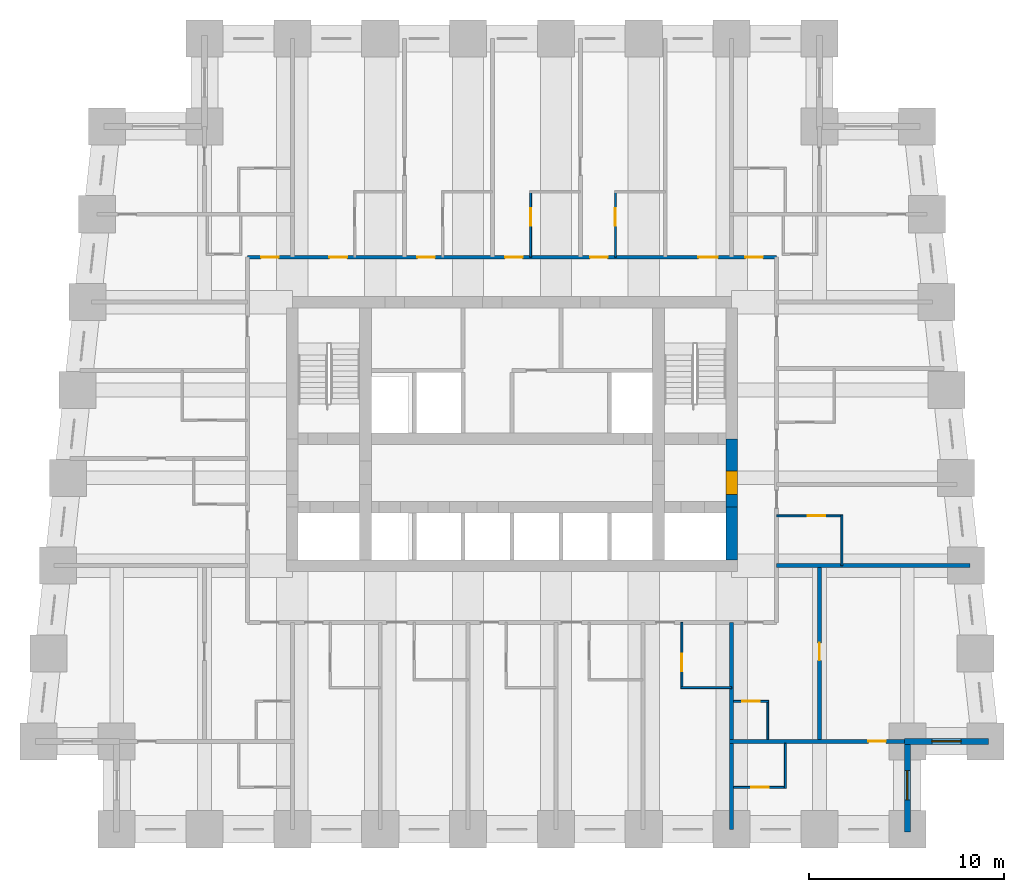
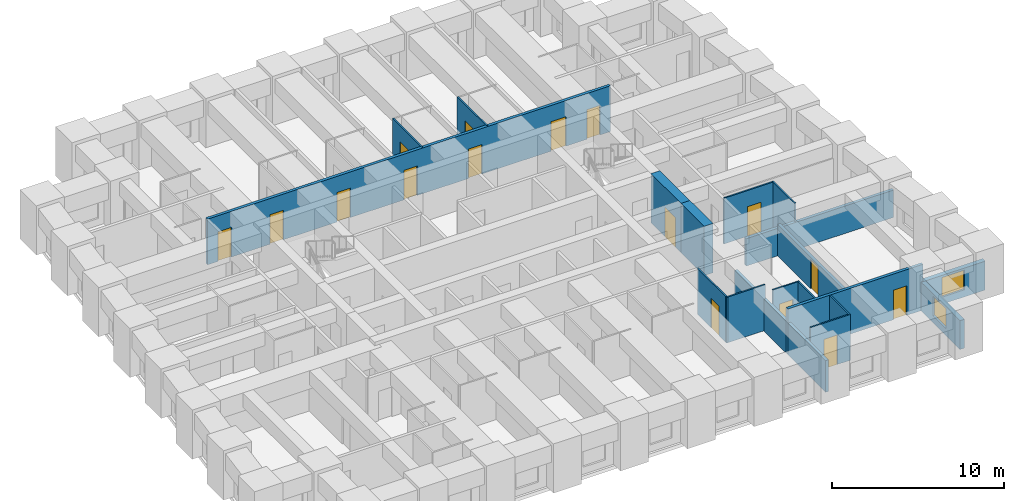
# One storey, part 5 of 8: 19 walls, 16 doors, 2 windows, 18 openings.
"""IFC4 building model written with IfcOpenShell, lengths in metres."""

from ifc_helpers import new_model, si_unit, direction, frame, frame_2d, origin, place, context, subcontext, project, spatial, rectangle, extrude, material, layer, layer_set, type_object, element, fill, save


model = new_model("IFC4")

# Units and contexts
model_context = context("Model", 3, precision=1e-05, world=origin(), true_north=direction((0.0, 1.0)))
body_context = subcontext(model_context, "Body", "Model", "MODEL_VIEW")
ifc_project = project(units=[si_unit("LENGTHUNIT", "METRE"), si_unit("AREAUNIT", "SQUARE_METRE"), si_unit("VOLUMEUNIT", "CUBIC_METRE"), si_unit("PLANEANGLEUNIT", "RADIAN"), si_unit("MASSUNIT", "GRAM", prefix="KILO")], contexts=[model_context])

# Site, building, storey
site_placement = place(None, origin())
site = spatial("IfcSite", under=ifc_project, at=site_placement, CompositionType="ELEMENT")
building_placement = place(site_placement, origin())
building = spatial("IfcBuilding", under=site, at=building_placement, Name="Kilele Tower Hotel", CompositionType="ELEMENT")
storey_placement = place(building_placement, frame((0.0, 0.0, 78.699951171875)))
storey = spatial("IfcBuildingStorey", under=building, at=storey_placement, Name="L19", CompositionType="ELEMENT", Elevation=78.699951171875)

# Wall
ifc_material_1 = material(Name="Moisture-resistant board")
ifc_layer_1 = layer(ifc_material_1, 0.10009765625)
ifc_layer_set_1 = layer_set([ifc_layer_1], Name="Moisture-resistant board")
wall_type_1 = type_object("IfcWallType", Name="Bathroom partition 100", PredefinedType="PLUMBINGWALL", material=ifc_layer_set_1)
wall_1_placement = place(storey_placement, frame((33.39990234375, 7.25, 0.0), z_axis=(0.0, 0.0, 1.0), x_axis=(1.0, 0.0, 0.0)))
element("IfcWall", 1, at=wall_1_placement, inside=storey, type_object=wall_type_1, Name="Bathroom partition 100 L19", PredefinedType="PLUMBINGWALL", context=body_context, shape_type="SweptSolid", body=[
    extrude(rectangle(XDim=2.60009765625, YDim=0.10009765625, at=frame_2d((1.300048828125, 0.0))), origin(), (0.0, 0.0, 1.0), 3.25),
])

# Wall, opening, door
wall_2_placement = place(storey_placement, frame((33.449951171875, 10.60009765625, 0.0), z_axis=(0.0, 0.0, 1.0), x_axis=(0.0, -1.0, 0.0)))
wall_2 = element("IfcWall", 2, at=wall_2_placement, inside=storey, type_object=wall_type_1, Name="Bathroom partition 100 L19", PredefinedType="PLUMBINGWALL", context=body_context, shape_type="SweptSolid", body=[
    extrude(rectangle(XDim=3.400146484375, YDim=0.10009765625, at=frame_2d((1.7001953125, 0.0))), origin(), (0.0, 0.0, 1.0), 3.25),
])
opening_1_placement = place(wall_2_placement, frame((2.5, 0.0, 0.0), z_axis=(0.0, 0.0, 1.0), x_axis=(-1.0, 0.0, 0.0)))
opening_1 = element("IfcOpeningElement", 3, at=opening_1_placement, cuts=wall_2, Name="Opening D2A", PredefinedType="OPENING", context=body_context, shape_type="SweptSolid", body=[
    extrude(rectangle(XDim=0.89990234375, YDim=2.10009765625, at=frame_2d((0.449951171875, 1.050048828125))), frame((0.0, 0.06005859375, 0.0), z_axis=(0.0, -1.0, 0.0), x_axis=(1.0, 0.0, 0.0)), (0.0, 0.0, 1.0), 0.1201171875),
])
ifc_material_2 = material(Name="Timber door leaf in hardwood frame", Category="wood")
door_type_1 = type_object("IfcDoorType", Name="Bathroom door 900", OperationType="SINGLE_SWING_LEFT", PredefinedType="DOOR", material=ifc_material_2)
door_1_placement = place(opening_1_placement, origin())
door_1 = element("IfcDoor", 4, at=door_1_placement, inside=storey, type_object=door_type_1, Name="Bathroom door 1905B", OperationType="SINGLE_SWING_LEFT", OverallHeight=2.10009765625, OverallWidth=0.89990234375, PredefinedType="DOOR", context=body_context, shape_type="SweptSolid", body=[
    extrude(rectangle(XDim=0.89990234375, YDim=2.10009765625, at=frame_2d((0.449951171875, 1.050048828125))), frame((0.0, 0.02490234375, 0.0), z_axis=(0.0, -1.0, 0.0), x_axis=(1.0, 0.0, 0.0)), (0.0, 0.0, 1.0), 0.050048828125),
])
fill(opening_1, door_1)

# Wall
wall_3_placement = place(storey_placement, frame((41.64990234375, 13.5, 0.0), z_axis=(0.0, 0.0, 1.0), x_axis=(0.0, 1.0, 0.0)))
element("IfcWall", 5, at=wall_3_placement, inside=storey, type_object=wall_type_1, Name="Bathroom partition 100 L19", PredefinedType="PLUMBINGWALL", context=body_context, shape_type="SweptSolid", body=[
    extrude(rectangle(XDim=2.60009765625, YDim=0.10009765625, at=frame_2d((1.300048828125, 0.0))), origin(), (0.0, 0.0, 1.0), 3.25),
])

# Wall, opening, door
wall_4_placement = place(storey_placement, frame((38.300048828125, 16.050048828125, 0.0), z_axis=(0.0, 0.0, 1.0), x_axis=(1.0, 0.0, 0.0)))
wall_4 = element("IfcWall", 6, at=wall_4_placement, inside=storey, type_object=wall_type_1, Name="Bathroom partition 100 L19", PredefinedType="PLUMBINGWALL", context=body_context, shape_type="SweptSolid", body=[
    extrude(rectangle(XDim=3.39990234375, YDim=0.10009765625, at=frame_2d((1.699951171875, 0.0))), origin(), (0.0, 0.0, 1.0), 3.25),
])
opening_2_placement = place(wall_4_placement, frame((1.60009765625, 0.0, 0.0)))
opening_2 = element("IfcOpeningElement", 7, at=opening_2_placement, cuts=wall_4, Name="Opening D2A", PredefinedType="OPENING", context=body_context, shape_type="SweptSolid", body=[
    extrude(rectangle(XDim=0.89990234375, YDim=2.10009765625, at=frame_2d((0.449951171875, 1.050048828125))), frame((0.0, 0.06005859375, 0.0), z_axis=(0.0, -1.0, 0.0), x_axis=(1.0, 0.0, 0.0)), (0.0, 0.0, 1.0), 0.1201171875),
])
door_2_placement = place(opening_2_placement, origin())
door_2 = element("IfcDoor", 8, at=door_2_placement, inside=storey, type_object=door_type_1, Name="Bathroom door 1906B", OperationType="SINGLE_SWING_LEFT", OverallHeight=2.10009765625, OverallWidth=0.89990234375, PredefinedType="DOOR", context=body_context, shape_type="SweptSolid", body=[
    extrude(rectangle(XDim=0.89990234375, YDim=2.10009765625, at=frame_2d((0.449951171875, 1.050048828125))), frame((0.0, 0.02490234375, 0.0), z_axis=(0.0, -1.0, 0.0), x_axis=(1.0, 0.0, 0.0)), (0.0, 0.0, 1.0), 0.050048828125),
])
fill(opening_2, door_2)

wall_5_placement = place(storey_placement, frame((25.699951171875, 29.300048828125, 0.0), z_axis=(0.0, 0.0, 1.0), x_axis=(0.0, 1.0, 0.0)))
wall_5 = element("IfcWall", 9, at=wall_5_placement, inside=storey, type_object=wall_type_1, Name="Bathroom partition 100 L19", PredefinedType="PLUMBINGWALL", context=body_context, shape_type="SweptSolid", body=[
    extrude(rectangle(XDim=3.39990234375, YDim=0.10009765625, at=frame_2d((1.699951171875, 0.0))), origin(), (0.0, 0.0, 1.0), 3.25),
])
opening_3_placement = place(wall_5_placement, frame((1.60009765625, 0.0, 0.0)))
opening_3 = element("IfcOpeningElement", 10, at=opening_3_placement, cuts=wall_5, Name="Opening D2A", PredefinedType="OPENING", context=body_context, shape_type="SweptSolid", body=[
    extrude(rectangle(XDim=0.89990234375, YDim=2.10009765625, at=frame_2d((0.449951171875, 1.050048828125))), frame((0.0, 0.06005859375, 0.0), z_axis=(0.0, -1.0, 0.0), x_axis=(1.0, 0.0, 0.0)), (0.0, 0.0, 1.0), 0.1201171875),
])
door_3_placement = place(opening_3_placement, origin())
door_3 = element("IfcDoor", 11, at=door_3_placement, inside=storey, type_object=door_type_1, Name="Bathroom door 1911B", OperationType="SINGLE_SWING_LEFT", OverallHeight=2.10009765625, OverallWidth=0.89990234375, PredefinedType="DOOR", context=body_context, shape_type="SweptSolid", body=[
    extrude(rectangle(XDim=0.89990234375, YDim=2.10009765625, at=frame_2d((0.449951171875, 1.050048828125))), frame((0.0, 0.02490234375, 0.0), z_axis=(0.0, -1.0, 0.0), x_axis=(1.0, 0.0, 0.0)), (0.0, 0.0, 1.0), 0.050048828125),
])
fill(opening_3, door_3)

wall_6_placement = place(storey_placement, frame((30.050048828125, 29.300048828125, 0.0), z_axis=(0.0, 0.0, 1.0), x_axis=(0.0, 1.0, 0.0)))
wall_6 = element("IfcWall", 12, at=wall_6_placement, inside=storey, type_object=wall_type_1, Name="Bathroom partition 100 L19", PredefinedType="PLUMBINGWALL", context=body_context, shape_type="SweptSolid", body=[
    extrude(rectangle(XDim=3.39990234375, YDim=0.10009765625, at=frame_2d((1.699951171875, 0.0))), origin(), (0.0, 0.0, 1.0), 3.25),
])
opening_4_placement = place(wall_6_placement, frame((1.60009765625, 0.0, 0.0)))
opening_4 = element("IfcOpeningElement", 13, at=opening_4_placement, cuts=wall_6, Name="Opening D2A", PredefinedType="OPENING", context=body_context, shape_type="SweptSolid", body=[
    extrude(rectangle(XDim=0.89990234375, YDim=2.10009765625, at=frame_2d((0.449951171875, 1.050048828125))), frame((0.0, 0.06005859375, 0.0), z_axis=(0.0, -1.0, 0.0), x_axis=(1.0, 0.0, 0.0)), (0.0, 0.0, 1.0), 0.1201171875),
])
door_4_placement = place(opening_4_placement, origin())
door_4 = element("IfcDoor", 14, at=door_4_placement, inside=storey, type_object=door_type_1, Name="Bathroom door 1912B", OperationType="SINGLE_SWING_LEFT", OverallHeight=2.10009765625, OverallWidth=0.89990234375, PredefinedType="DOOR", context=body_context, shape_type="SweptSolid", body=[
    extrude(rectangle(XDim=0.89990234375, YDim=2.10009765625, at=frame_2d((0.449951171875, 1.050048828125))), frame((0.0, 0.02490234375, 0.0), z_axis=(0.0, -1.0, 0.0), x_axis=(1.0, 0.0, 0.0)), (0.0, 0.0, 1.0), 0.050048828125),
])
fill(opening_4, door_4)

# Wall
wall_7_placement = place(storey_placement, frame((37.85009765625, 4.60009765625, 0.0), z_axis=(0.0, 0.0, 1.0), x_axis=(0.0, 1.0, 0.0)))
element("IfcWall", 15, at=wall_7_placement, inside=storey, type_object=wall_type_1, Name="Bathroom partition 100 L19", PredefinedType="PLUMBINGWALL", context=body_context, shape_type="SweptSolid", body=[
    extrude(rectangle(XDim=2.0, YDim=0.10009765625, at=frame_2d((1.0, 0.0))), origin(), (0.0, 0.0, 1.0), 3.25),
])

# Wall, opening, door
wall_8_placement = place(storey_placement, frame((36.10009765625, 6.550048828125, 0.0), z_axis=(0.0, 0.0, 1.0), x_axis=(1.0, 0.0, 0.0)))
wall_8 = element("IfcWall", 16, at=wall_8_placement, inside=storey, type_object=wall_type_1, Name="Bathroom partition 100 L19", PredefinedType="PLUMBINGWALL", context=body_context, shape_type="SweptSolid", body=[
    extrude(rectangle(XDim=1.7998046875, YDim=0.10009765625, at=frame_2d((0.89990234375, 0.0))), origin(), (0.0, 0.0, 1.0), 3.25),
])
opening_5_placement = place(wall_8_placement, frame((0.449951171875, 0.0, 0.0)))
opening_5 = element("IfcOpeningElement", 17, at=opening_5_placement, cuts=wall_8, Name="Opening D2A", PredefinedType="OPENING", context=body_context, shape_type="SweptSolid", body=[
    extrude(rectangle(XDim=0.89990234375, YDim=2.10009765625, at=frame_2d((0.449951171875, 1.050048828125))), frame((0.0, 0.06005859375, 0.0), z_axis=(0.0, -1.0, 0.0), x_axis=(1.0, 0.0, 0.0)), (0.0, 0.0, 1.0), 0.1201171875),
])
door_5_placement = place(opening_5_placement, origin())
door_5 = element("IfcDoor", 18, at=door_5_placement, inside=storey, type_object=door_type_1, Name="Bathroom door 1920P", OperationType="SINGLE_SWING_LEFT", OverallHeight=2.10009765625, OverallWidth=0.89990234375, PredefinedType="DOOR", context=body_context, shape_type="SweptSolid", body=[
    extrude(rectangle(XDim=0.89990234375, YDim=2.10009765625, at=frame_2d((0.449951171875, 1.050048828125))), frame((0.0, 0.02490234375, 0.0), z_axis=(0.0, -1.0, 0.0), x_axis=(1.0, 0.0, 0.0)), (0.0, 0.0, 1.0), 0.050048828125),
])
fill(opening_5, door_5)

# Wall
wall_9_placement = place(storey_placement, frame((38.75, 4.39990234375, 0.0), z_axis=(0.0, 0.0, 1.0), x_axis=(0.0, -1.0, 0.0)))
element("IfcWall", 19, at=wall_9_placement, inside=storey, type_object=wall_type_1, Name="Bathroom partition 100 L19", PredefinedType="PLUMBINGWALL", context=body_context, shape_type="SweptSolid", body=[
    extrude(rectangle(XDim=2.2998046875, YDim=0.10009765625, at=frame_2d((1.14990234375, 0.0))), origin(), (0.0, 0.0, 1.0), 3.25),
])

# Wall, opening, door
wall_10_placement = place(storey_placement, frame((36.10009765625, 2.14990234375, 0.0), z_axis=(0.0, 0.0, 1.0), x_axis=(1.0, 0.0, 0.0)))
wall_10 = element("IfcWall", 20, at=wall_10_placement, inside=storey, type_object=wall_type_1, Name="Bathroom partition 100 L19", PredefinedType="PLUMBINGWALL", context=body_context, shape_type="SweptSolid", body=[
    extrude(rectangle(XDim=2.699951171875, YDim=0.10009765625, at=frame_2d((1.35009765625, 0.0))), origin(), (0.0, 0.0, 1.0), 3.25),
])
opening_6_placement = place(wall_10_placement, frame((1.7998046875, 0.0, 0.0), z_axis=(0.0, 0.0, 1.0), x_axis=(-1.0, 0.0, 0.0)))
opening_6 = element("IfcOpeningElement", 21, at=opening_6_placement, cuts=wall_10, Name="Opening D2A", PredefinedType="OPENING", context=body_context, shape_type="SweptSolid", body=[
    extrude(rectangle(XDim=0.89990234375, YDim=2.10009765625, at=frame_2d((0.449951171875, 1.050048828125))), frame((0.0, 0.06005859375, 0.0), z_axis=(0.0, -1.0, 0.0), x_axis=(1.0, 0.0, 0.0)), (0.0, 0.0, 1.0), 0.1201171875),
])
door_6_placement = place(opening_6_placement, origin())
door_6 = element("IfcDoor", 22, at=door_6_placement, inside=storey, type_object=door_type_1, Name="Bathroom door 1922B", OperationType="SINGLE_SWING_RIGHT", OverallHeight=2.10009765625, OverallWidth=0.89990234375, PredefinedType="DOOR", context=body_context, shape_type="SweptSolid", body=[
    extrude(rectangle(XDim=0.89990234375, YDim=2.10009765625, at=frame_2d((0.449951171875, 1.050048828125))), frame((0.0, 0.02490234375, 0.0), z_axis=(0.0, -1.0, 0.0), x_axis=(1.0, 0.0, 0.0)), (0.0, 0.0, 1.0), 0.050048828125),
])
fill(opening_6, door_6)

# Wall
ifc_material_3 = material(Name="Concrete C60/75", Category="concrete")
ifc_layer_2 = layer(ifc_material_3, 0.60009765625)
ifc_layer_set_2 = layer_set([ifc_layer_2], Name="Concrete C60/75")
wall_type_2 = type_object("IfcWallType", Name="Core wall 600 C60/75", PredefinedType="SHEAR", material=ifc_layer_set_2)
wall_11_placement = place(storey_placement, frame((36.0, 13.800048828125, 0.0), z_axis=(0.0, 0.0, 1.0), x_axis=(0.0, 1.0, 0.0)))
element("IfcWall", 23, at=wall_11_placement, inside=storey, type_object=wall_type_2, Name="Core wall E1 L19", PredefinedType="SHEAR", context=body_context, shape_type="SweptSolid", body=[
    extrude(rectangle(XDim=2.699951171875, YDim=0.60009765625, at=frame_2d((1.35009765625, 0.0))), origin(), (0.0, 0.0, 1.0), 3.5),
])

# Wall, opening, door
wall_12_placement = place(storey_placement, frame((36.0, 16.5, 0.0), z_axis=(0.0, 0.0, 1.0), x_axis=(0.0, 1.0, 0.0)))
wall_12 = element("IfcWall", 24, at=wall_12_placement, inside=storey, type_object=wall_type_2, Name="Core wall E2 L19", PredefinedType="SHEAR", context=body_context, shape_type="SweptSolid", body=[
    extrude(rectangle(XDim=3.5, YDim=0.60009765625, at=frame_2d((1.75, 0.0))), origin(), (0.0, 0.0, 1.0), 3.5),
])
opening_7_placement = place(wall_12_placement, frame((0.64990234375, 0.0, 0.0)))
opening_7 = element("IfcOpeningElement", 25, at=opening_7_placement, cuts=wall_12, Name="Opening D4", PredefinedType="OPENING", context=body_context, shape_type="SweptSolid", body=[
    extrude(rectangle(XDim=1.199951171875, YDim=2.10009765625, at=frame_2d((0.60009765625, 1.050048828125))), frame((0.0, 0.31005859375, 0.0), z_axis=(0.0, -1.0, 0.0), x_axis=(1.0, 0.0, 0.0)), (0.0, 0.0, 1.0), 0.6201171875),
])
ifc_material_4 = material(Name="Timber door leaf in hardwood frame", Category="wood")
door_type_2 = type_object("IfcDoorType", Name="Firefighting lobby door 1200", OperationType="SINGLE_SWING_LEFT", PredefinedType="DOOR", material=ifc_material_4)
door_7_placement = place(opening_7_placement, origin())
door_7 = element("IfcDoor", 26, at=door_7_placement, inside=storey, type_object=door_type_2, Name="Lobby door L19", OperationType="SINGLE_SWING_LEFT", OverallHeight=2.10009765625, OverallWidth=1.199951171875, PredefinedType="DOOR", context=body_context, shape_type="SweptSolid", body=[
    extrude(rectangle(XDim=1.199951171875, YDim=2.10009765625, at=frame_2d((0.60009765625, 1.050048828125))), frame((0.0, 0.2998046875, 0.0), z_axis=(0.0, -1.0, 0.0), x_axis=(1.0, 0.0, 0.0)), (0.0, 0.0, 1.0), 0.599609375),
])
fill(opening_7, door_7)

# Wall, openings, doors
ifc_material_5 = material(Name="Blockwork, plastered both sides", Category="masonry")
ifc_layer_3 = layer(ifc_material_5, 0.199951171875)
ifc_layer_set_3 = layer_set([ifc_layer_3], Name="Blockwork, plastered both sides")
wall_type_3 = type_object("IfcWallType", Name="Corridor wall 200", PredefinedType="PARTITIONING", material=ifc_layer_set_3)
wall_13_placement = place(storey_placement, frame((11.199951171875, 29.300048828125, 0.0), z_axis=(0.0, 0.0, 1.0), x_axis=(1.0, 0.0, 0.0)))
wall_13 = element("IfcWall", 27, at=wall_13_placement, inside=storey, type_object=wall_type_3, Name="Corridor wall 200 L19", PredefinedType="PARTITIONING", context=body_context, shape_type="SweptSolid", body=[
    extrude(rectangle(XDim=27.10009765625, YDim=0.199951171875, at=frame_2d((13.550048828125, 0.0))), origin(), (0.0, 0.0, 1.0), 3.25),
])
opening_8_placement = place(wall_13_placement, frame((4.199951171875, 0.0, 0.0)))
opening_8 = element("IfcOpeningElement", 28, at=opening_8_placement, cuts=wall_13, Name="Opening D1", PredefinedType="OPENING", context=body_context, shape_type="SweptSolid", body=[
    extrude(rectangle(XDim=0.89990234375, YDim=2.10009765625, at=frame_2d((0.449951171875, 1.050048828125))), frame((0.0, 0.10986328125, 0.0), z_axis=(0.0, -1.0, 0.0), x_axis=(1.0, 0.0, 0.0)), (0.0, 0.0, 1.0), 0.219970703125),
])
opening_9_placement = place(wall_13_placement, frame((8.699951171875, 0.0, 0.0)))
opening_9 = element("IfcOpeningElement", 29, at=opening_9_placement, cuts=wall_13, Name="Opening D1", PredefinedType="OPENING", context=body_context, shape_type="SweptSolid", body=[
    extrude(rectangle(XDim=0.89990234375, YDim=2.10009765625, at=frame_2d((0.449951171875, 1.050048828125))), frame((0.0, 0.10986328125, 0.0), z_axis=(0.0, -1.0, 0.0), x_axis=(1.0, 0.0, 0.0)), (0.0, 0.0, 1.0), 0.219970703125),
])
opening_10_placement = place(wall_13_placement, frame((13.199951171875, 0.0, 0.0)))
opening_10 = element("IfcOpeningElement", 30, at=opening_10_placement, cuts=wall_13, Name="Opening D1", PredefinedType="OPENING", context=body_context, shape_type="SweptSolid", body=[
    extrude(rectangle(XDim=0.89990234375, YDim=2.10009765625, at=frame_2d((0.449951171875, 1.050048828125))), frame((0.0, 0.10986328125, 0.0), z_axis=(0.0, -1.0, 0.0), x_axis=(1.0, 0.0, 0.0)), (0.0, 0.0, 1.0), 0.219970703125),
])
opening_11_placement = place(wall_13_placement, frame((17.550048828125, 0.0, 0.0)))
opening_11 = element("IfcOpeningElement", 31, at=opening_11_placement, cuts=wall_13, Name="Opening D1", PredefinedType="OPENING", context=body_context, shape_type="SweptSolid", body=[
    extrude(rectangle(XDim=0.89990234375, YDim=2.10009765625, at=frame_2d((0.449951171875, 1.050048828125))), frame((0.0, 0.10986328125, 0.0), z_axis=(0.0, -1.0, 0.0), x_axis=(1.0, 0.0, 0.0)), (0.0, 0.0, 1.0), 0.219970703125),
])
opening_12_placement = place(wall_13_placement, frame((23.10009765625, 0.0, 0.0)))
opening_12 = element("IfcOpeningElement", 32, at=opening_12_placement, cuts=wall_13, Name="Opening D8", PredefinedType="OPENING", context=body_context, shape_type="SweptSolid", body=[
    extrude(rectangle(XDim=1.0, YDim=2.10009765625, at=frame_2d((0.5, 1.050048828125))), frame((0.0, 0.10986328125, 0.0), z_axis=(0.0, -1.0, 0.0), x_axis=(1.0, 0.0, 0.0)), (0.0, 0.0, 1.0), 0.219970703125),
])
opening_13_placement = place(wall_13_placement, frame((25.5, 0.0, 0.0)))
opening_13 = element("IfcOpeningElement", 33, at=opening_13_placement, cuts=wall_13, Name="Opening D1", PredefinedType="OPENING", context=body_context, shape_type="SweptSolid", body=[
    extrude(rectangle(XDim=0.89990234375, YDim=2.10009765625, at=frame_2d((0.449951171875, 1.050048828125))), frame((0.0, 0.10986328125, 0.0), z_axis=(0.0, -1.0, 0.0), x_axis=(1.0, 0.0, 0.0)), (0.0, 0.0, 1.0), 0.219970703125),
])
opening_14_placement = place(wall_13_placement, frame((0.699951171875, 0.0, 0.0)))
opening_14 = element("IfcOpeningElement", 34, at=opening_14_placement, cuts=wall_13, Name="Opening D1", PredefinedType="OPENING", context=body_context, shape_type="SweptSolid", body=[
    extrude(rectangle(XDim=0.89990234375, YDim=2.10009765625, at=frame_2d((0.449951171875, 1.050048828125))), frame((0.0, 0.10986328125, 0.0), z_axis=(0.0, -1.0, 0.0), x_axis=(1.0, 0.0, 0.0)), (0.0, 0.0, 1.0), 0.219970703125),
])
ifc_material_6 = material(Name="Timber door leaf in hardwood frame", Category="wood")
door_type_3 = type_object("IfcDoorType", Name="Door 1000", OperationType="SINGLE_SWING_LEFT", PredefinedType="DOOR", material=ifc_material_6)
door_8_placement = place(opening_12_placement, origin())
door_8 = element("IfcDoor", 35, at=door_8_placement, inside=storey, type_object=door_type_3, Name="Room entrance 1913", OperationType="SINGLE_SWING_RIGHT", OverallHeight=2.10009765625, OverallWidth=1.0, PredefinedType="DOOR", context=body_context, shape_type="SweptSolid", body=[
    extrude(rectangle(XDim=1.0, YDim=2.10009765625, at=frame_2d((0.5, 1.050048828125))), frame((0.0, 0.02490234375, 0.0), z_axis=(0.0, -1.0, 0.0), x_axis=(1.0, 0.0, 0.0)), (0.0, 0.0, 1.0), 0.050048828125),
])
fill(opening_12, door_8)
ifc_material_7 = material(Name="Timber door leaf in hardwood frame", Category="wood")
door_type_4 = type_object("IfcDoorType", Name="Guest room entrance door 900", OperationType="SINGLE_SWING_LEFT", PredefinedType="DOOR", material=ifc_material_7)
door_9_placement = place(opening_8_placement, origin())
door_9 = element("IfcDoor", 36, at=door_9_placement, inside=storey, type_object=door_type_4, Name="Room entrance 1909", OperationType="SINGLE_SWING_RIGHT", OverallHeight=2.10009765625, OverallWidth=0.89990234375, PredefinedType="DOOR", context=body_context, shape_type="SweptSolid", body=[
    extrude(rectangle(XDim=0.89990234375, YDim=2.10009765625, at=frame_2d((0.449951171875, 1.050048828125))), frame((0.0, 0.02490234375, 0.0), z_axis=(0.0, -1.0, 0.0), x_axis=(1.0, 0.0, 0.0)), (0.0, 0.0, 1.0), 0.050048828125),
])
fill(opening_8, door_9)
door_10_placement = place(opening_9_placement, origin())
door_10 = element("IfcDoor", 37, at=door_10_placement, inside=storey, type_object=door_type_4, Name="Room entrance 1910", OperationType="SINGLE_SWING_RIGHT", OverallHeight=2.10009765625, OverallWidth=0.89990234375, PredefinedType="DOOR", context=body_context, shape_type="SweptSolid", body=[
    extrude(rectangle(XDim=0.89990234375, YDim=2.10009765625, at=frame_2d((0.449951171875, 1.050048828125))), frame((0.0, 0.02490234375, 0.0), z_axis=(0.0, -1.0, 0.0), x_axis=(1.0, 0.0, 0.0)), (0.0, 0.0, 1.0), 0.050048828125),
])
fill(opening_9, door_10)
door_11_placement = place(opening_10_placement, origin())
door_11 = element("IfcDoor", 38, at=door_11_placement, inside=storey, type_object=door_type_4, Name="Room entrance 1911", OperationType="SINGLE_SWING_RIGHT", OverallHeight=2.10009765625, OverallWidth=0.89990234375, PredefinedType="DOOR", context=body_context, shape_type="SweptSolid", body=[
    extrude(rectangle(XDim=0.89990234375, YDim=2.10009765625, at=frame_2d((0.449951171875, 1.050048828125))), frame((0.0, 0.02490234375, 0.0), z_axis=(0.0, -1.0, 0.0), x_axis=(1.0, 0.0, 0.0)), (0.0, 0.0, 1.0), 0.050048828125),
])
fill(opening_10, door_11)
door_12_placement = place(opening_11_placement, origin())
door_12 = element("IfcDoor", 39, at=door_12_placement, inside=storey, type_object=door_type_4, Name="Room entrance 1912", OperationType="SINGLE_SWING_RIGHT", OverallHeight=2.10009765625, OverallWidth=0.89990234375, PredefinedType="DOOR", context=body_context, shape_type="SweptSolid", body=[
    extrude(rectangle(XDim=0.89990234375, YDim=2.10009765625, at=frame_2d((0.449951171875, 1.050048828125))), frame((0.0, 0.02490234375, 0.0), z_axis=(0.0, -1.0, 0.0), x_axis=(1.0, 0.0, 0.0)), (0.0, 0.0, 1.0), 0.050048828125),
])
fill(opening_11, door_12)
door_13_placement = place(opening_13_placement, origin())
door_13 = element("IfcDoor", 40, at=door_13_placement, inside=storey, type_object=door_type_4, Name="Room entrance 1923", OperationType="SINGLE_SWING_LEFT", OverallHeight=2.10009765625, OverallWidth=0.89990234375, PredefinedType="DOOR", context=body_context, shape_type="SweptSolid", body=[
    extrude(rectangle(XDim=0.89990234375, YDim=2.10009765625, at=frame_2d((0.449951171875, 1.050048828125))), frame((0.0, 0.02490234375, 0.0), z_axis=(0.0, -1.0, 0.0), x_axis=(1.0, 0.0, 0.0)), (0.0, 0.0, 1.0), 0.050048828125),
])
fill(opening_13, door_13)
door_14_placement = place(opening_14_placement, origin())
door_14 = element("IfcDoor", 41, at=door_14_placement, inside=storey, type_object=door_type_4, Name="Room entrance 1926", OperationType="SINGLE_SWING_RIGHT", OverallHeight=2.10009765625, OverallWidth=0.89990234375, PredefinedType="DOOR", context=body_context, shape_type="SweptSolid", body=[
    extrude(rectangle(XDim=0.89990234375, YDim=2.10009765625, at=frame_2d((0.449951171875, 1.050048828125))), frame((0.0, 0.02490234375, 0.0), z_axis=(0.0, -1.0, 0.0), x_axis=(1.0, 0.0, 0.0)), (0.0, 0.0, 1.0), 0.050048828125),
])
fill(opening_14, door_14)

# Wall, opening, door
ifc_material_8 = material(Name="Blockwork, plastered both sides", Category="masonry")
ifc_layer_4 = layer(ifc_material_8, 0.199951171875)
ifc_layer_set_4 = layer_set([ifc_layer_4], Name="Blockwork, plastered both sides")
wall_type_4 = type_object("IfcWallType", Name="Partition wall 200", PredefinedType="PARTITIONING", material=ifc_layer_set_4)
wall_14_placement = place(storey_placement, frame((40.5, 4.60009765625, 0.0), z_axis=(0.0, 0.0, 1.0), x_axis=(0.0, 1.0, 0.0)))
wall_14 = element("IfcWall", 42, at=wall_14_placement, inside=storey, type_object=wall_type_4, Name="Partition wall 200 L19", PredefinedType="PARTITIONING", context=body_context, shape_type="SweptSolid", body=[
    extrude(rectangle(XDim=8.7998046875, YDim=0.199951171875, at=frame_2d((4.39990234375, 0.0))), origin(), (0.0, 0.0, 1.0), 2.25),
])
opening_15_placement = place(wall_14_placement, frame((4.050048828125, 0.0, 0.0)))
opening_15 = element("IfcOpeningElement", 43, at=opening_15_placement, cuts=wall_14, Name="Opening D3", PredefinedType="OPENING", context=body_context, shape_type="SweptSolid", body=[
    extrude(rectangle(XDim=0.89990234375, YDim=2.10009765625, at=frame_2d((0.449951171875, 1.050048828125))), frame((0.0, 0.10986328125, 0.0), z_axis=(0.0, -1.0, 0.0), x_axis=(1.0, 0.0, 0.0)), (0.0, 0.0, 1.0), 0.219970703125),
])
ifc_material_9 = material(Name="Timber door leaf in hardwood frame", Category="wood")
door_type_5 = type_object("IfcDoorType", Name="Suite internal door 900", OperationType="SINGLE_SWING_LEFT", PredefinedType="DOOR", material=ifc_material_9)
door_15_placement = place(opening_15_placement, origin())
door_15 = element("IfcDoor", 44, at=door_15_placement, inside=storey, type_object=door_type_5, Name="Suite door 1921", OperationType="SINGLE_SWING_RIGHT", OverallHeight=2.10009765625, OverallWidth=0.89990234375, PredefinedType="DOOR", context=body_context, shape_type="SweptSolid", body=[
    extrude(rectangle(XDim=0.89990234375, YDim=2.10009765625, at=frame_2d((0.449951171875, 1.050048828125))), frame((0.0, 0.02490234375, 0.0), z_axis=(0.0, -1.0, 0.0), x_axis=(1.0, 0.0, 0.0)), (0.0, 0.0, 1.0), 0.050048828125),
])
fill(opening_15, door_15)

# Walls
ifc_material_10 = material(Name="Blockwork, plastered both sides", Category="masonry")
ifc_layer_5 = layer(ifc_material_10, 0.199951171875)
ifc_layer_set_5 = layer_set([ifc_layer_5], Name="Blockwork, plastered both sides")
wall_type_5 = type_object("IfcWallType", Name="Party wall 200", PredefinedType="PARTITIONING", material=ifc_layer_set_5)
wall_15_placement = place(storey_placement, frame((38.300048828125, 13.5, 0.0), z_axis=(0.0, 0.0, 1.0), x_axis=(1.0, 0.0, 0.0)))
element("IfcWall", 45, at=wall_15_placement, inside=storey, type_object=wall_type_5, Name="Party wall 200 L19", PredefinedType="PARTITIONING", context=body_context, shape_type="SweptSolid", body=[
    extrude(rectangle(XDim=9.921142578125, YDim=0.199951171875, at=frame_2d((4.96044921875, 0.0))), origin(), (0.0, 0.0, 1.0), 1.949951171875),
])
wall_16_placement = place(storey_placement, frame((36.0, 10.60009765625, 0.0), z_axis=(0.0, 0.0, 1.0), x_axis=(0.0, -1.0, 0.0)))
element("IfcWall", 46, at=wall_16_placement, inside=storey, type_object=wall_type_5, Name="Party wall 200 L19", PredefinedType="PARTITIONING", context=body_context, shape_type="SweptSolid", body=[
    extrude(rectangle(XDim=10.60009765625, YDim=0.199951171875, at=frame_2d((5.300048828125, 0.0))), origin(), (0.0, 0.0, 1.0), 2.25),
])

# Wall, opening, door
wall_17_placement = place(storey_placement, frame((35.89990234375, 4.5, 0.0), z_axis=(0.0, 0.0, 1.0), x_axis=(1.0, 0.0, 0.0)))
wall_17 = element("IfcWall", 47, at=wall_17_placement, inside=storey, type_object=wall_type_5, Name="Party wall 200 L19", PredefinedType="PARTITIONING", context=body_context, shape_type="SweptSolid", body=[
    extrude(rectangle(XDim=9.10009765625, YDim=0.199951171875, at=frame_2d((4.550048828125, 0.0))), origin(), (0.0, 0.0, 1.0), 3.25),
])
opening_16_placement = place(wall_17_placement, frame((7.10009765625, 0.0, 0.0)))
opening_16 = element("IfcOpeningElement", 48, at=opening_16_placement, cuts=wall_17, Name="Opening D3", PredefinedType="OPENING", context=body_context, shape_type="SweptSolid", body=[
    extrude(rectangle(XDim=0.89990234375, YDim=2.10009765625, at=frame_2d((0.449951171875, 1.050048828125))), frame((0.0, 0.10986328125, 0.0), z_axis=(0.0, -1.0, 0.0), x_axis=(1.0, 0.0, 0.0)), (0.0, 0.0, 1.0), 0.219970703125),
])
door_16_placement = place(opening_16_placement, origin())
door_16 = element("IfcDoor", 49, at=door_16_placement, inside=storey, type_object=door_type_5, Name="Suite door 1922", OperationType="SINGLE_SWING_RIGHT", OverallHeight=2.10009765625, OverallWidth=0.89990234375, PredefinedType="DOOR", context=body_context, shape_type="SweptSolid", body=[
    extrude(rectangle(XDim=0.89990234375, YDim=2.10009765625, at=frame_2d((0.449951171875, 1.050048828125))), frame((0.0, 0.02490234375, 0.0), z_axis=(0.0, -1.0, 0.0), x_axis=(1.0, 0.0, 0.0)), (0.0, 0.0, 1.0), 0.050048828125),
])
fill(opening_16, door_16)

# Wall, opening, window
ifc_material_11 = material(Name="Concrete C40/50 precast", Category="concrete")
ifc_layer_6 = layer(ifc_material_11, 0.260009765625, Name="Precast backing", Category="LoadBearing")
ifc_material_12 = material(Name="Reconstituted stone finish", Category="masonry")
ifc_layer_7 = layer(ifc_material_12, 0.0400390625, Name="Face mix", Category="Finish")
ifc_layer_set_6 = layer_set([ifc_layer_6, ifc_layer_7], Name="Precast concrete C40/50, reconstituted stone finish")
wall_type_6 = type_object("IfcWallType", Name="Precast stone facade wall 300", PredefinedType="STANDARD", material=ifc_layer_set_6)
wall_18_placement = place(storey_placement, frame((45.0, -0.14990234375, 0.0), z_axis=(0.0, 0.0, 1.0), x_axis=(0.0, 1.0, 0.0)))
wall_18 = element("IfcWall", 50, at=wall_18_placement, inside=storey, type_object=wall_type_6, Name="Facade wall L19 edge 4", PredefinedType="STANDARD", context=body_context, shape_type="SweptSolid", body=[
    extrude(rectangle(XDim=4.7998046875, YDim=0.300048828125, at=frame_2d((2.39990234375, 0.0))), origin(), (0.0, 0.0, 1.0), 2.050048828125),
])
opening_17_placement = place(wall_18_placement, frame((1.64990234375, 0.0, 0.5)))
opening_17 = element("IfcOpeningElement", 51, at=opening_17_placement, cuts=wall_18, Name="Opening W1", PredefinedType="OPENING", context=body_context, shape_type="SweptSolid", body=[
    extrude(rectangle(XDim=1.5, YDim=1.39990234375, at=frame_2d((0.75, 0.699951171875))), frame((0.0, 0.159912109375, 0.0), z_axis=(0.0, -1.0, 0.0), x_axis=(1.0, 0.0, 0.0)), (0.0, 0.0, 1.0), 0.320068359375),
])
ifc_material_13 = material(Name="Aluminium frame, clear double glazing", Category="aluminium")
window_type = type_object("IfcWindowType", Name="Window W1 1500 x 1400", PartitioningType="SINGLE_PANEL", PredefinedType="WINDOW", material=ifc_material_13)
window_1_placement = place(opening_17_placement, origin())
window_1 = element("IfcWindow", 52, at=window_1_placement, inside=storey, type_object=window_type, Name="Window L19", OverallHeight=1.39990234375, OverallWidth=1.5, PartitioningType="SINGLE_PANEL", PredefinedType="WINDOW", context=body_context, shape_type="SweptSolid", body=[
    extrude(rectangle(XDim=1.5, YDim=1.39990234375, at=frame_2d((0.75, 0.699951171875))), frame((0.0, 0.030029296875, 0.0), z_axis=(0.0, -1.0, 0.0), x_axis=(1.0, 0.0, 0.0)), (0.0, 0.0, 1.0), 0.06005859375),
])
fill(opening_17, window_1)

wall_19_placement = place(storey_placement, frame((44.85009765625, 4.5, 0.0), z_axis=(0.0, 0.0, 1.0), x_axis=(1.0, 0.0, 0.0)))
wall_19 = element("IfcWall", 53, at=wall_19_placement, inside=storey, type_object=wall_type_6, Name="Facade wall L19 edge 5", PredefinedType="STANDARD", context=body_context, shape_type="SweptSolid", body=[
    extrude(rectangle(XDim=4.2998046875, YDim=0.300048828125, at=frame_2d((2.14990234375, 0.0))), origin(), (0.0, 0.0, 1.0), 2.050048828125),
])
opening_18_placement = place(wall_19_placement, frame((1.39990234375, 0.0, 0.5)))
opening_18 = element("IfcOpeningElement", 54, at=opening_18_placement, cuts=wall_19, Name="Opening W1", PredefinedType="OPENING", context=body_context, shape_type="SweptSolid", body=[
    extrude(rectangle(XDim=1.5, YDim=1.39990234375, at=frame_2d((0.75, 0.699951171875))), frame((0.0, 0.159912109375, 0.0), z_axis=(0.0, -1.0, 0.0), x_axis=(1.0, 0.0, 0.0)), (0.0, 0.0, 1.0), 0.320068359375),
])
window_2_placement = place(opening_18_placement, origin())
window_2 = element("IfcWindow", 55, at=window_2_placement, inside=storey, type_object=window_type, Name="Window L19", OverallHeight=1.39990234375, OverallWidth=1.5, PartitioningType="SINGLE_PANEL", PredefinedType="WINDOW", context=body_context, shape_type="SweptSolid", body=[
    extrude(rectangle(XDim=1.5, YDim=1.39990234375, at=frame_2d((0.75, 0.699951171875))), frame((0.0, 0.030029296875, 0.0), z_axis=(0.0, -1.0, 0.0), x_axis=(1.0, 0.0, 0.0)), (0.0, 0.0, 1.0), 0.06005859375),
])
fill(opening_18, window_2)

save(model, "model.ifc")
